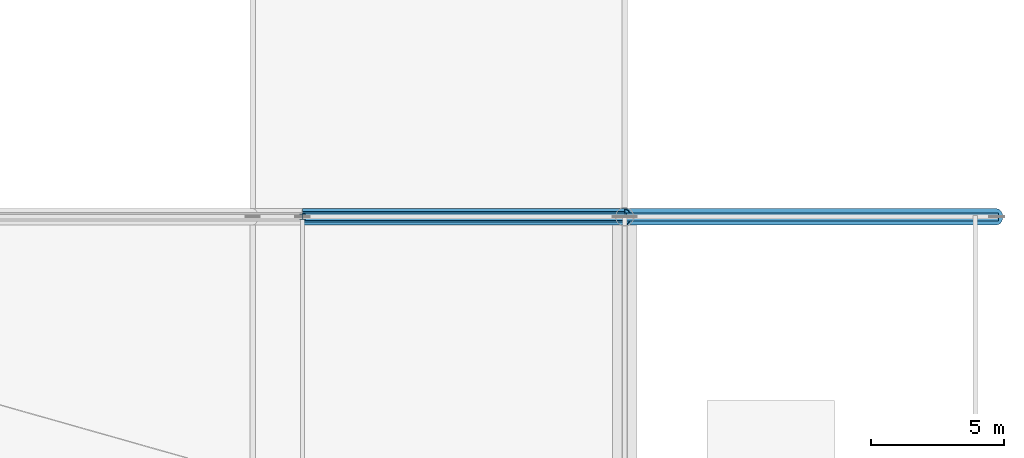
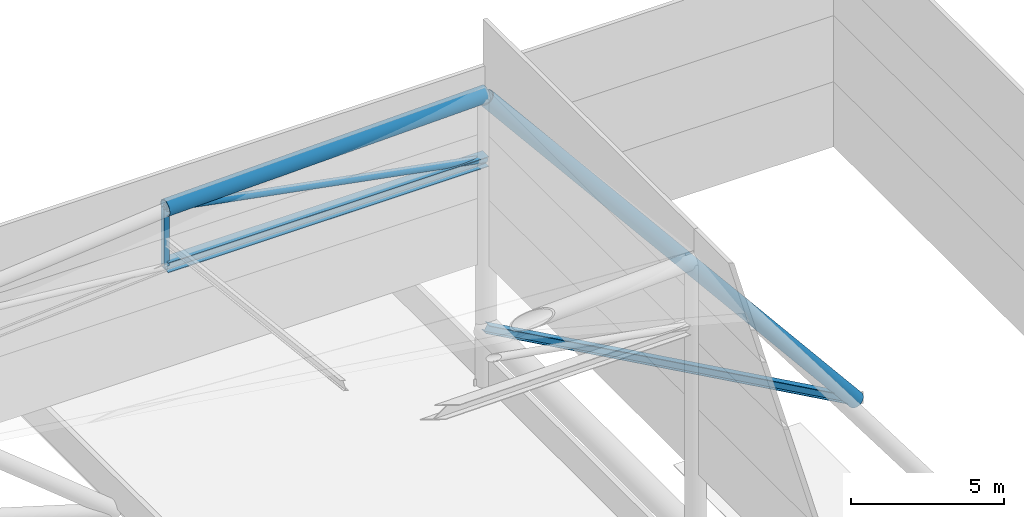
# One storey, part 53 of 113: 6 members.
"""IFC4 building model written with IfcOpenShell, lengths in metres."""

from ifc_helpers import new_model, si_unit, direction, frame, origin, origin_2d, place, context, subcontext, project, spatial, hollow_circle, i_section, extrude, material, material_profile, profile_set, type_object, element, save


model = new_model("IFC4")

# Units and contexts
model_context = context("Model", 3, precision=1e-05, world=origin(), true_north=direction((0.0, 1.0)))
body_context = subcontext(model_context, "Body", "Model", "MODEL_VIEW")
ifc_project = project(units=[si_unit("LENGTHUNIT", "METRE"), si_unit("AREAUNIT", "SQUARE_METRE"), si_unit("VOLUMEUNIT", "CUBIC_METRE"), si_unit("PLANEANGLEUNIT", "RADIAN"), si_unit("MASSUNIT", "GRAM", prefix="KILO")], contexts=[model_context])

# Site, building, storey
site_placement = place(None, origin())
site = spatial("IfcSite", under=ifc_project, at=site_placement, CompositionType="ELEMENT")
building_placement = place(site_placement, origin())
building = spatial("IfcBuilding", under=site, at=building_placement, Name="Linyun Crest Stadium", CompositionType="ELEMENT")
storey_placement = place(building_placement, frame((0.0, 0.0, 26.39990234375)))
storey = spatial("IfcBuildingStorey", under=building, at=storey_placement, Name="L06", CompositionType="ELEMENT", Elevation=26.39990234375)

# Members
ifc_material_1 = material(Name="Steel Q420C", Category="steel")
ifc_material_profile_1 = material_profile(ifc_material_1, hollow_circle(Radius=0.304931640625, WallThickness=0.030029296875, at=origin_2d()), Name="CHS 610x30")
ifc_profile_set_1 = profile_set([ifc_material_profile_1], Name="Steel Q420C")
member_type_1 = type_object("IfcMemberType", Name="TC02", PredefinedType="CHORD", material=ifc_profile_set_1)
member_1_placement = place(storey_placement, frame((84.0, 43.375, 11.400146484375), z_axis=(0.635707252861, 0.0, -0.771930235617), x_axis=(0.0, 1.0, 0.0)))
element("IfcMember", 1, at=member_1_placement, inside=storey, type_object=member_type_1, Name="Roof truss back-stay chord TC02 V2 314", PredefinedType="CHORD", context=body_context, shape_type="SweptSolid", body=[
    extrude(hollow_circle(Radius=0.304931640625, WallThickness=0.030029296875, at=origin_2d()), origin(), (0.0, 0.0, 1.0), 22.022705078125),
])
member_2_placement = place(storey_placement, frame((84.0, 43.375, 11.550048828125), z_axis=(-0.999641070748, 0.0, -0.026790477311), x_axis=(0.0, -1.0, 0.0)))
element("IfcMember", 2, at=member_2_placement, inside=storey, type_object=member_type_1, Name="Roof truss top chord TC02 V2 316", PredefinedType="CHORD", context=body_context, shape_type="SweptSolid", body=[
    extrude(hollow_circle(Radius=0.304931640625, WallThickness=0.030029296875, at=origin_2d()), origin(), (0.0, 0.0, 1.0), 12.12939453125),
])
ifc_material_2 = material(Name="Steel Q355C", Category="steel")
ifc_material_profile_2 = material_profile(ifc_material_2, i_section(OverallWidth=0.300048828125, OverallDepth=0.300048828125, WebThickness=0.010009765625, FlangeThickness=0.014892578125, at=origin_2d()), Name="HW 300x300")
ifc_profile_set_2 = profile_set([ifc_material_profile_2], Name="Steel Q355C")
member_type_2 = type_object("IfcMemberType", Name="TC03", PredefinedType="CHORD", material=ifc_profile_set_2)
member_3_placement = place(storey_placement, frame((84.0, 43.375, 2.18505859375), z_axis=(0.873968137748, 0.0, -0.485983224197), x_axis=(0.0, 1.0, 0.0)))
element("IfcMember", 3, at=member_3_placement, inside=storey, type_object=member_type_2, Name="Roof truss lower back-span chord TC03 V2 315", PredefinedType="CHORD", context=body_context, shape_type="SweptSolid", body=[
    extrude(i_section(OverallWidth=0.300048828125, OverallDepth=0.300048828125, WebThickness=0.010009765625, FlangeThickness=0.014892578125, at=origin_2d()), origin(), (0.0, 0.0, 1.0), 16.018798828125),
])
ifc_material_3 = material(Name="Steel Q420C", Category="steel")
ifc_material_profile_3 = material_profile(ifc_material_3, i_section(OverallWidth=0.407958984375, OverallDepth=0.39990234375, WebThickness=0.02099609375, FlangeThickness=0.02099609375, at=origin_2d()), Name="HW 400x408")
ifc_profile_set_3 = profile_set([ifc_material_profile_3], Name="Steel Q420C")
member_type_3 = type_object("IfcMemberType", Name="TC04", PredefinedType="CHORD", material=ifc_profile_set_3)
member_4_placement = place(storey_placement, frame((84.0, 43.375, 8.9501953125), z_axis=(-0.999999408883, 0.0, -0.001087306058), x_axis=(0.0, -1.0, 0.0)))
element("IfcMember", 4, at=member_4_placement, inside=storey, type_object=member_type_3, Name="Roof truss bottom chord TC04 V2 317", PredefinedType="CHORD", context=body_context, shape_type="SweptSolid", body=[
    extrude(i_section(OverallWidth=0.407958984375, OverallDepth=0.39990234375, WebThickness=0.02099609375, FlangeThickness=0.02099609375, at=origin_2d()), origin(), (0.0, 0.0, 1.0), 12.125),
])
ifc_material_4 = material(Name="Steel Q355C", Category="steel")
ifc_material_profile_4 = material_profile(ifc_material_4, hollow_circle(Radius=0.136474609375, WallThickness=0.013916015625, at=origin_2d()), Name="CHS 273x14")
ifc_profile_set_4 = profile_set([ifc_material_profile_4], Name="Steel Q355C")
member_type_4 = type_object("IfcMemberType", Name="TD01", PredefinedType="BRACE", material=ifc_profile_set_4)
member_5_placement = place(storey_placement, frame((84.0, 43.375, 8.9501953125), z_axis=(-0.982850672616, 0.0, 0.184403241129), x_axis=(0.0, -1.0, 0.0)))
element("IfcMember", 5, at=member_5_placement, inside=storey, type_object=member_type_4, Name="Roof truss diagonal TD01 V2 318", PredefinedType="BRACE", context=body_context, shape_type="SweptSolid", body=[
    extrude(hollow_circle(Radius=0.136474609375, WallThickness=0.013916015625, at=origin_2d()), origin(), (0.0, 0.0, 1.0), 12.336669921875),
])
ifc_material_5 = material(Name="Steel Q355C", Category="steel")
ifc_material_profile_5 = material_profile(ifc_material_5, i_section(OverallWidth=0.199951171875, OverallDepth=0.199951171875, WebThickness=0.008056640625, FlangeThickness=0.011962890625, at=origin_2d()), Name="HW 200x200")
ifc_profile_set_5 = profile_set([ifc_material_profile_5], Name="Steel Q355C")
member_type_5 = type_object("IfcMemberType", Name="TV02", PredefinedType="STRUT", material=ifc_profile_set_5)
member_6_placement = place(storey_placement, frame((71.875, 43.375, 8.93701171875), z_axis=(0.0, 0.0, 1.0), x_axis=(1.0, 0.0, 0.0)))
element("IfcMember", 6, at=member_6_placement, inside=storey, type_object=member_type_5, Name="Roof vertical strut TV02 V2 322", PredefinedType="STRUT", context=body_context, shape_type="SweptSolid", body=[
    extrude(i_section(OverallWidth=0.199951171875, OverallDepth=0.199951171875, WebThickness=0.008056640625, FlangeThickness=0.011962890625, at=origin_2d()), origin(), (0.0, 0.0, 1.0), 2.2880859375),
])

save(model, "model.ifc")
